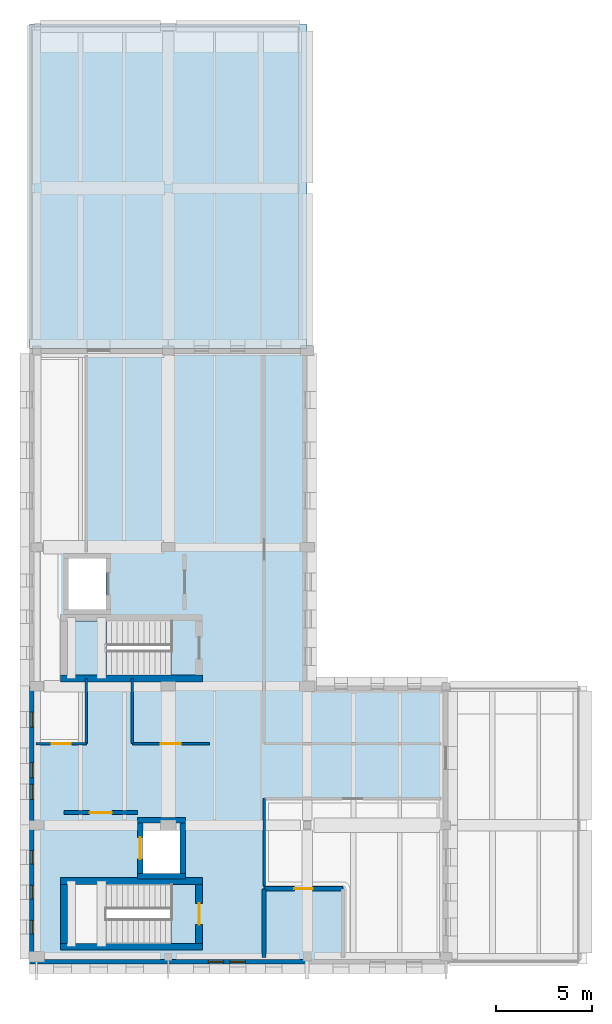
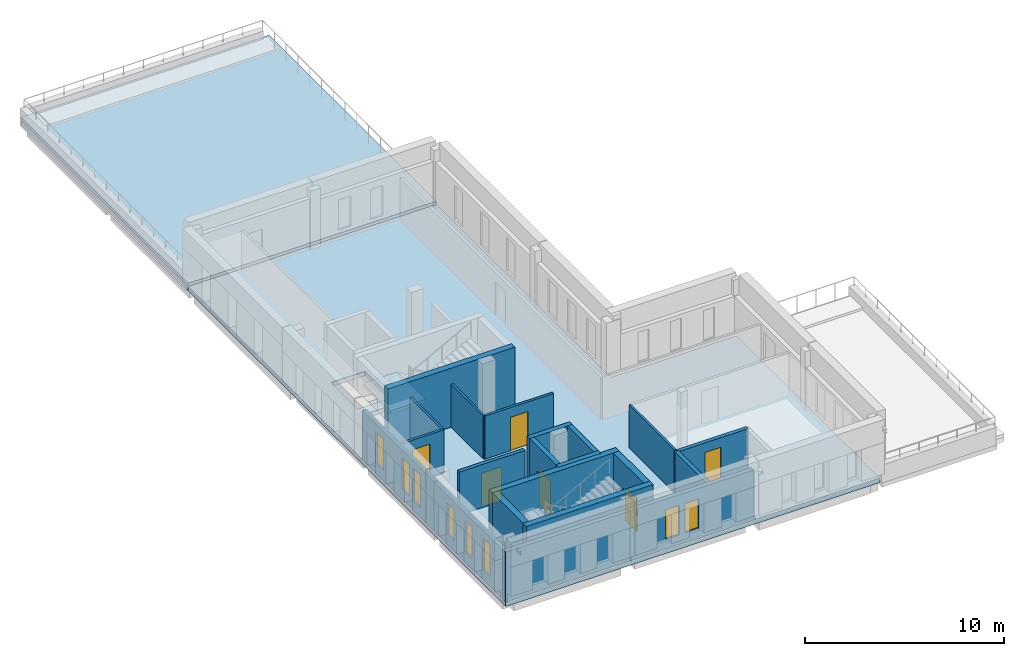
# One storey, part 3 of 8: 21 walls, 8 windows, 6 doors, 4 slabs, 14 openings, 1 element without a shape of its own.
"""IFC4 building model written with IfcOpenShell, lengths in metres."""

from ifc_helpers import new_model, si_unit, direction, frame, frame_2d, origin, place, context, subcontext, project, spatial, polyline, rectangle, outline, extrude, material, layer, layer_set, type_object, element, fill, aggregate, save


model = new_model("IFC4")

# Units and contexts
model_context = context("Model", 3, precision=1e-05, world=origin(), true_north=direction((0.0, 1.0)))
body_context = subcontext(model_context, "Body", "Model", "MODEL_VIEW")
ifc_project = project(units=[si_unit("LENGTHUNIT", "METRE"), si_unit("AREAUNIT", "SQUARE_METRE"), si_unit("VOLUMEUNIT", "CUBIC_METRE"), si_unit("PLANEANGLEUNIT", "RADIAN"), si_unit("MASSUNIT", "GRAM", prefix="KILO")], contexts=[model_context])

# Site, building, storey
site_placement = place(None, origin())
site = spatial("IfcSite", under=ifc_project, at=site_placement, CompositionType="ELEMENT")
building_placement = place(site_placement, origin())
building = spatial("IfcBuilding", under=site, at=building_placement, Name="Vardoun Plaza Health Centre", CompositionType="ELEMENT")
storey_placement = place(building_placement, frame((0.0, 0.0, 21.14990234375)))
storey = spatial("IfcBuildingStorey", under=building, at=storey_placement, Name="L05", CompositionType="ELEMENT", Elevation=21.14990234375)

# Stair, slab
ifc_material_1 = material(Name="Concrete C35/45", Category="concrete")
stair_type = type_object("IfcStairType", Name="ST-01", PredefinedType="HALF_TURN_STAIR", material=ifc_material_1)
stair_placement = place(storey_placement, origin())
stair = element("IfcStair", 1, at=stair_placement, inside=storey, type_object=stair_type, Name="Core C2 L05 Exit Stair ST-C2-L05", PredefinedType="HALF_TURN_STAIR")
ifc_material_2 = material(Name="Concrete C35/45", Category="concrete")
ifc_layer_1 = layer(ifc_material_2, 0.199951171875)
ifc_layer_set_1 = layer_set([ifc_layer_1], Name="Concrete C35/45")
slab_type_1 = type_object("IfcSlabType", Name="SL-LD", PredefinedType="LANDING", material=ifc_layer_set_1)
slab_1_placement = place(storey_placement, frame((0.0, 0.0, 1.75)))
slab_1 = element("IfcSlab", 2, at=slab_1_placement, type_object=slab_type_1, Name="ST-C2-L05 landing 1", PredefinedType="LANDING", context=body_context, shape_type="SweptSolid", body=[
    extrude(outline(polyline([(6.47509765625, 19.47509765625), (8.490478515625, 19.47509765625), (8.490478515625, 22.27490234375), (6.47509765625, 22.27490234375), (6.47509765625, 19.47509765625)])), origin(), (0.0, 0.0, 1.0), 0.2001953125),
])
aggregate(stair, [slab_1])

# Slabs
ifc_material_3 = material(Name="Pale Limestone Concrete C35/45", Category="masonry")
ifc_layer_2 = layer(ifc_material_3, 0.239990234375)
ifc_layer_set_2 = layer_set([ifc_layer_2], Name="Pale Limestone Concrete C35/45")
slab_type_2 = type_object("IfcSlabType", Name="RF-01", PredefinedType="ROOF", material=ifc_layer_set_2)
slab_2_placement = place(storey_placement, frame((0.0, 0.0, -0.27978515625)))
element("IfcSlab", 3, at=slab_2_placement, inside=storey, type_object=slab_type_2, Name="V2 L05 Step-Back Structural Roof Slab 1", PredefinedType="ROOF", context=body_context, shape_type="SweptSolid", body=[
    extrude(outline(polyline([(4.5, 36.39990234375), (18.89990234375, 36.39990234375), (18.89990234375, 53.199951171875), (4.5, 53.199951171875), (4.5, 36.39990234375)])), origin(), (0.0, 0.0, 1.0), 0.27978515625),
])
ifc_material_4 = material(Name="Concrete C35/45", Category="concrete")
ifc_layer_3 = layer(ifc_material_4, 0.280029296875)
ifc_layer_set_3 = layer_set([ifc_layer_3], Name="Concrete C35/45")
slab_type_3 = type_object("IfcSlabType", Name="SL-03", PredefinedType="FLOOR", material=ifc_layer_set_3)
slab_3_placement = place(storey_placement, frame((0.0, 0.0, -0.27978515625)))
element("IfcSlab", 4, at=slab_3_placement, inside=storey, type_object=slab_type_3, Name="V2 L05 Structural Slab", PredefinedType="FLOOR", context=body_context, shape_type="SweptSolid", body=[
    extrude(outline(polyline([(4.5, 4.5), (26.199951171875, 4.5), (26.199951171875, 18.89990234375), (18.89990234375, 18.89990234375), (18.89990234375, 36.39990234375), (4.5, 36.39990234375), (4.5, 4.5)]), holes=[polyline([(6.47509765625, 5.574951171875), (11.849365234375, 5.574951171875), (11.849365234375, 8.625), (6.47509765625, 8.625), (6.47509765625, 5.574951171875)]), polyline([(10.3701171875, 9.169921875), (12.330078125, 9.169921875), (12.330078125, 11.830078125), (10.3701171875, 11.830078125), (10.3701171875, 9.169921875)]), polyline([(6.47509765625, 19.47509765625), (11.849365234375, 19.47509765625), (11.849365234375, 22.27490234375), (6.47509765625, 22.27490234375), (6.47509765625, 19.47509765625)]), polyline([(6.52001953125, 22.8701171875), (8.47998046875, 22.8701171875), (8.47998046875, 25.530029296875), (6.52001953125, 25.530029296875), (6.52001953125, 22.8701171875)])]), origin(), (0.0, 0.0, 1.0), 0.27978515625),
])
ifc_material_5 = material(Name="Pale Limestone Concrete C35/45", Category="masonry")
ifc_layer_4 = layer(ifc_material_5, 0.18994140625)
ifc_layer_set_4 = layer_set([ifc_layer_4], Name="Pale Limestone Concrete C35/45")
slab_type_4 = type_object("IfcSlabType", Name="SL-T1", PredefinedType="FLOOR", material=ifc_layer_set_4)
slab_4_placement = place(storey_placement, origin())
element("IfcSlab", 5, at=slab_4_placement, inside=storey, type_object=slab_type_4, Name="V2 L05 Planted Roof-Garden Terrace 1", PredefinedType="FLOOR", context=body_context, shape_type="SweptSolid", body=[
    extrude(outline(polyline([(4.5, 36.39990234375), (18.89990234375, 36.39990234375), (18.89990234375, 53.199951171875), (4.5, 53.199951171875), (4.5, 36.39990234375)])), origin(), (0.0, 0.0, 1.0), 0.190185546875),
])

# Wall
ifc_material_6 = material(Name="Concrete C40/50", Category="concrete")
ifc_layer_5 = layer(ifc_material_6, 0.27001953125)
ifc_layer_set_5 = layer_set([ifc_layer_5], Name="Concrete C40/50")
wall_type_1 = type_object("IfcWallType", Name="SW-03", PredefinedType="SHEAR", material=ifc_layer_set_5)
wall_1_placement = place(storey_placement, frame((12.5849609375, 9.050048828125, 0.0), z_axis=(0.0, 0.0, 1.0), x_axis=(-1.0, 0.0, 0.0)))
element("IfcWall", 6, at=wall_1_placement, inside=storey, type_object=wall_type_1, Name="Lift LF-01 L05 Shaft Wall S", PredefinedType="SHEAR", context=body_context, shape_type="SweptSolid", body=[
    extrude(rectangle(XDim=2.469970703125, YDim=0.27001953125, at=frame_2d((1.23486328125, 0.0))), origin(), (0.0, 0.0, 1.0), 3.6201171875),
])

# Wall, opening, door
wall_2_placement = place(storey_placement, frame((10.25, 9.18505859375, 0.0), z_axis=(0.0, 0.0, 1.0), x_axis=(0.0, 1.0, 0.0)))
wall_2 = element("IfcWall", 7, at=wall_2_placement, inside=storey, type_object=wall_type_1, Name="Lift LF-01 L05 Shaft Wall W", PredefinedType="SHEAR", context=body_context, shape_type="SweptSolid", body=[
    extrude(rectangle(XDim=2.6298828125, YDim=0.27001953125, at=frame_2d((1.31494140625, 0.0))), origin(), (0.0, 0.0, 1.0), 3.6201171875),
])
opening_1_placement = place(wall_2_placement, frame((0.7548828125, 0.0, 0.0)))
opening_1 = element("IfcOpeningElement", 8, at=opening_1_placement, cuts=wall_2, Name="Opening LD-LF-01-L05", PredefinedType="OPENING", context=body_context, shape_type="SweptSolid", body=[
    extrude(rectangle(XDim=1.1201171875, YDim=2.10009765625, at=frame_2d((0.56005859375, 1.050048828125))), frame((0.0, 0.135009765625, 0.0), z_axis=(0.0, -1.0, 0.0), x_axis=(1.0, 0.0, 0.0)), (0.0, 0.0, 1.0), 0.27001953125),
])
ifc_material_7 = material(Name="Brushed Stainless Steel Grade 316L", Category="steel")
door_type_1 = type_object("IfcDoorType", Name="LD-01", OperationType="DOUBLE_DOOR_SLIDING", PredefinedType="DOOR", material=ifc_material_7)
door_1_placement = place(opening_1_placement, origin())
door_1 = element("IfcDoor", 9, at=door_1_placement, inside=storey, type_object=door_type_1, Name="Lift LF-01 L05 Sliding Landing Door", OperationType="DOUBLE_DOOR_SLIDING", OverallHeight=2.10009765625, OverallWidth=1.1201171875, PredefinedType="DOOR", context=body_context, shape_type="SweptSolid", body=[
    extrude(rectangle(XDim=1.1201171875, YDim=2.10009765625, at=frame_2d((0.56005859375, 1.050048828125))), frame((0.0, 0.02490234375, 0.0), z_axis=(0.0, -1.0, 0.0), x_axis=(1.0, 0.0, 0.0)), (0.0, 0.0, 1.0), 0.050048828125),
])
fill(opening_1, door_1)

# Walls
wall_3_placement = place(storey_placement, frame((10.114990234375, 11.949951171875, 0.0), z_axis=(0.0, 0.0, 1.0), x_axis=(1.0, 0.0, 0.0)))
element("IfcWall", 10, at=wall_3_placement, inside=storey, type_object=wall_type_1, Name="Lift LF-01 L05 Shaft Wall N", PredefinedType="SHEAR", context=body_context, shape_type="SweptSolid", body=[
    extrude(rectangle(XDim=2.469970703125, YDim=0.27001953125, at=frame_2d((1.23486328125, 0.0))), origin(), (0.0, 0.0, 1.0), 3.6201171875),
])
wall_4_placement = place(storey_placement, frame((12.449951171875, 11.81494140625, 0.0), z_axis=(0.0, 0.0, 1.0), x_axis=(0.0, -1.0, 0.0)))
element("IfcWall", 11, at=wall_4_placement, inside=storey, type_object=wall_type_1, Name="Lift LF-01 L05 Shaft Wall E", PredefinedType="SHEAR", context=body_context, shape_type="SweptSolid", body=[
    extrude(rectangle(XDim=2.6298828125, YDim=0.27001953125, at=frame_2d((1.31494140625, 0.0))), origin(), (0.0, 0.0, 1.0), 3.6201171875),
])
ifc_material_8 = material(Name="Concrete C40/50", Category="concrete")
ifc_layer_6 = layer(ifc_material_8, 0.35009765625)
ifc_layer_set_6 = layer_set([ifc_layer_6], Name="Concrete C40/50")
wall_type_2 = type_object("IfcWallType", Name="SW-02", PredefinedType="SHEAR", material=ifc_layer_set_6)
wall_5_placement = place(storey_placement, frame((13.47509765625, 5.39990234375, 0.0), z_axis=(0.0, 0.0, 1.0), x_axis=(-1.0, 0.0, 0.0)))
element("IfcWall", 12, at=wall_5_placement, inside=storey, type_object=wall_type_2, Name="Core C1 L05 Shear Wall S", PredefinedType="SHEAR", context=body_context, shape_type="SweptSolid", body=[
    extrude(rectangle(XDim=7.35009765625, YDim=0.35009765625, at=frame_2d((3.675048828125, 0.0))), origin(), (0.0, 0.0, 1.0), 3.6201171875),
])
wall_6_placement = place(storey_placement, frame((6.300048828125, 5.574951171875, 0.0), z_axis=(0.0, 0.0, 1.0), x_axis=(0.0, 1.0, 0.0)))
element("IfcWall", 13, at=wall_6_placement, inside=storey, type_object=wall_type_2, Name="Core C1 L05 Shear Wall W", PredefinedType="SHEAR", context=body_context, shape_type="SweptSolid", body=[
    extrude(rectangle(XDim=3.050048828125, YDim=0.35009765625, at=frame_2d((1.52490234375, 0.0))), origin(), (0.0, 0.0, 1.0), 3.6201171875),
])
wall_7_placement = place(storey_placement, frame((6.125, 8.800048828125, 0.0), z_axis=(0.0, 0.0, 1.0), x_axis=(1.0, 0.0, 0.0)))
element("IfcWall", 14, at=wall_7_placement, inside=storey, type_object=wall_type_2, Name="Core C1 L05 Shear Wall N", PredefinedType="SHEAR", context=body_context, shape_type="SweptSolid", body=[
    extrude(rectangle(XDim=7.35009765625, YDim=0.35009765625, at=frame_2d((3.675048828125, 0.0))), origin(), (0.0, 0.0, 1.0), 3.6201171875),
])

# Wall, opening, door
wall_8_placement = place(storey_placement, frame((13.300048828125, 8.625, 0.0), z_axis=(0.0, 0.0, 1.0), x_axis=(0.0, -1.0, 0.0)))
wall_8 = element("IfcWall", 15, at=wall_8_placement, inside=storey, type_object=wall_type_2, Name="Core C1 L05 Shear Wall E", PredefinedType="SHEAR", context=body_context, shape_type="SweptSolid", body=[
    extrude(rectangle(XDim=3.050048828125, YDim=0.35009765625, at=frame_2d((1.52490234375, 0.0))), origin(), (0.0, 0.0, 1.0), 3.6201171875),
])
opening_2_placement = place(wall_8_placement, frame((0.97509765625, 0.0, 0.0)))
opening_2 = element("IfcOpeningElement", 16, at=opening_2_placement, cuts=wall_8, Name="Opening SD-C1-L05", PredefinedType="OPENING", context=body_context, shape_type="SweptSolid", body=[
    extrude(rectangle(XDim=1.10009765625, YDim=2.050048828125, at=frame_2d((0.550048828125, 1.02490234375))), frame((0.0, 0.175048828125, 0.0), z_axis=(0.0, -1.0, 0.0), x_axis=(1.0, 0.0, 0.0)), (0.0, 0.0, 1.0), 0.35009765625),
])
ifc_material_9 = material(Name="Brushed Stainless Steel Grade 316L", Category="steel")
door_type_2 = type_object("IfcDoorType", Name="FD-01", OperationType="NOTDEFINED", PredefinedType="DOOR", material=ifc_material_9)
door_2_placement = place(opening_2_placement, origin())
door_2 = element("IfcDoor", 17, at=door_2_placement, inside=storey, type_object=door_type_2, Name="Stair C1 L05 Fire Door", OperationType="SINGLE_SWING_LEFT", OverallHeight=2.050048828125, OverallWidth=1.10009765625, PredefinedType="DOOR", context=body_context, shape_type="SweptSolid", body=[
    extrude(rectangle(XDim=1.10009765625, YDim=2.050048828125, at=frame_2d((0.550048828125, 1.02490234375))), frame((0.0, 0.02490234375, 0.0), z_axis=(0.0, -1.0, 0.0), x_axis=(1.0, 0.0, 0.0)), (0.0, 0.0, 1.0), 0.050048828125),
])
fill(opening_2, door_2)

# Wall
wall_9_placement = place(storey_placement, frame((13.47509765625, 19.300048828125, 0.0), z_axis=(0.0, 0.0, 1.0), x_axis=(-1.0, 0.0, 0.0)))
element("IfcWall", 18, at=wall_9_placement, inside=storey, type_object=wall_type_2, Name="Core C2 L05 Shear Wall S", PredefinedType="SHEAR", context=body_context, shape_type="SweptSolid", body=[
    extrude(rectangle(XDim=7.35009765625, YDim=0.35009765625, at=frame_2d((3.675048828125, 0.0))), origin(), (0.0, 0.0, 1.0), 3.6201171875),
])

# Wall, openings, windows
ifc_material_10 = material(Name="Pale Limestone Concrete C35/45", Category="masonry")
ifc_layer_7 = layer(ifc_material_10, 0.25)
ifc_layer_set_7 = layer_set([ifc_layer_7], Name="Pale Limestone Concrete C35/45")
wall_type_3 = type_object("IfcWallType", Name="EW-07", PredefinedType="STANDARD", material=ifc_layer_set_7)
wall_10_placement = place(storey_placement, frame((18.89990234375, 4.625, 0.0), z_axis=(0.0, 0.0, 1.0), x_axis=(-1.0, 0.0, 0.0)))
wall_10 = element("IfcWall", 19, at=wall_10_placement, inside=storey, type_object=wall_type_3, Name="V2 L05 Exterior Wall EW-V2-206", PredefinedType="STANDARD", context=body_context, shape_type="SweptSolid", body=[
    extrude(rectangle(XDim=7.199951171875, YDim=0.25, at=frame_2d((3.60009765625, 0.0))), origin(), (0.0, 0.0, 1.0), 3.05517578125),
])
opening_3_placement = place(wall_10_placement, frame((3.199951171875, 0.0, 0.60009765625)))
opening_3 = element("IfcOpeningElement", 20, at=opening_3_placement, cuts=wall_10, Name="Opening W-27-014", PredefinedType="OPENING", context=body_context, shape_type="SweptSolid", body=[
    extrude(rectangle(XDim=0.800048828125, YDim=1.800048828125, at=frame_2d((0.39990234375, 0.89990234375))), frame((0.0, 0.125, 0.0), z_axis=(0.0, -1.0, 0.0), x_axis=(1.0, 0.0, 0.0)), (0.0, 0.0, 1.0), 0.25),
])
opening_4_placement = place(wall_10_placement, frame((4.322021484375, 0.0, 0.60009765625)))
opening_4 = element("IfcOpeningElement", 21, at=opening_4_placement, cuts=wall_10, Name="Opening W-27-015", PredefinedType="OPENING", context=body_context, shape_type="SweptSolid", body=[
    extrude(rectangle(XDim=0.800048828125, YDim=1.800048828125, at=frame_2d((0.39990234375, 0.89990234375))), frame((0.0, 0.125, 0.0), z_axis=(0.0, -1.0, 0.0), x_axis=(1.0, 0.0, 0.0)), (0.0, 0.0, 1.0), 0.25),
])
ifc_material_11 = material(Name="Aluminium Alloy EN AW-6063-T6 and Low-E Glass", Category="aluminium")
window_type_1 = type_object("IfcWindowType", Name="W-27", PartitioningType="SINGLE_PANEL", PredefinedType="WINDOW", material=ifc_material_11)
window_1_placement = place(opening_3_placement, origin())
window_1 = element("IfcWindow", 22, at=window_1_placement, inside=storey, type_object=window_type_1, Name="V2 L05 Deep-Punched Slot Window W-27-313", OverallHeight=1.800048828125, OverallWidth=0.800048828125, PartitioningType="SINGLE_PANEL", PredefinedType="WINDOW", context=body_context, shape_type="SweptSolid", body=[
    extrude(rectangle(XDim=0.800048828125, YDim=1.800048828125, at=frame_2d((0.39990234375, 0.89990234375))), frame((0.0, 0.030029296875, 0.0), z_axis=(0.0, -1.0, 0.0), x_axis=(1.0, 0.0, 0.0)), (0.0, 0.0, 1.0), 0.06005859375),
])
fill(opening_3, window_1)
window_2_placement = place(opening_4_placement, origin())
window_2 = element("IfcWindow", 23, at=window_2_placement, inside=storey, type_object=window_type_1, Name="V2 L05 Deep-Punched Slot Window W-27-314", OverallHeight=1.800048828125, OverallWidth=0.800048828125, PartitioningType="SINGLE_PANEL", PredefinedType="WINDOW", context=body_context, shape_type="SweptSolid", body=[
    extrude(rectangle(XDim=0.800048828125, YDim=1.800048828125, at=frame_2d((0.39990234375, 0.89990234375))), frame((0.0, 0.030029296875, 0.0), z_axis=(0.0, -1.0, 0.0), x_axis=(1.0, 0.0, 0.0)), (0.0, 0.0, 1.0), 0.06005859375),
])
fill(opening_4, window_2)

# Wall
wall_11_placement = place(storey_placement, frame((11.699951171875, 4.625, 0.0), z_axis=(0.0, 0.0, 1.0), x_axis=(-1.0, 0.0, 0.0)))
element("IfcWall", 24, at=wall_11_placement, inside=storey, type_object=wall_type_3, Name="V2 L05 Exterior Wall EW-V2-207", PredefinedType="STANDARD", context=body_context, shape_type="SweptSolid", body=[
    extrude(rectangle(XDim=7.199951171875, YDim=0.25, at=frame_2d((3.60009765625, 0.0))), origin(), (0.0, 0.0, 1.0), 3.05517578125),
])

# Wall, openings, windows
wall_12_placement = place(storey_placement, frame((4.625, 4.75, 0.0), z_axis=(0.0, 0.0, 1.0), x_axis=(0.0, 1.0, 0.0)))
wall_12 = element("IfcWall", 25, at=wall_12_placement, inside=storey, type_object=wall_type_3, Name="V2 L05 Exterior Wall EW-V2-208", PredefinedType="STANDARD", context=body_context, shape_type="SweptSolid", body=[
    extrude(rectangle(XDim=6.949951171875, YDim=0.25, at=frame_2d((3.47509765625, 0.0))), origin(), (0.0, 0.0, 1.0), 3.005126953125),
])
opening_5_placement = place(wall_12_placement, frame((1.318115234375, 0.0, 0.60009765625)))
opening_5 = element("IfcOpeningElement", 26, at=opening_5_placement, cuts=wall_12, Name="Opening W-29-009", PredefinedType="OPENING", context=body_context, shape_type="SweptSolid", body=[
    extrude(rectangle(XDim=0.699951171875, YDim=1.919921875, at=frame_2d((0.35009765625, 0.9599609375))), frame((0.0, 0.125, 0.0), z_axis=(0.0, -1.0, 0.0), x_axis=(1.0, 0.0, 0.0)), (0.0, 0.0, 1.0), 0.25),
])
opening_6_placement = place(wall_12_placement, frame((3.125, 0.0, 0.60009765625)))
opening_6 = element("IfcOpeningElement", 27, at=opening_6_placement, cuts=wall_12, Name="Opening W-29-010", PredefinedType="OPENING", context=body_context, shape_type="SweptSolid", body=[
    extrude(rectangle(XDim=0.699951171875, YDim=1.919921875, at=frame_2d((0.35009765625, 0.9599609375))), frame((0.0, 0.125, 0.0), z_axis=(0.0, -1.0, 0.0), x_axis=(1.0, 0.0, 0.0)), (0.0, 0.0, 1.0), 0.25),
])
opening_7_placement = place(wall_12_placement, frame((4.931884765625, 0.0, 0.60009765625)))
opening_7 = element("IfcOpeningElement", 28, at=opening_7_placement, cuts=wall_12, Name="Opening W-29-011", PredefinedType="OPENING", context=body_context, shape_type="SweptSolid", body=[
    extrude(rectangle(XDim=0.699951171875, YDim=1.919921875, at=frame_2d((0.35009765625, 0.9599609375))), frame((0.0, 0.125, 0.0), z_axis=(0.0, -1.0, 0.0), x_axis=(1.0, 0.0, 0.0)), (0.0, 0.0, 1.0), 0.25),
])
ifc_material_12 = material(Name="Aluminium Alloy EN AW-6063-T6 and Low-E Glass", Category="aluminium")
window_type_2 = type_object("IfcWindowType", Name="W-29", PartitioningType="SINGLE_PANEL", PredefinedType="WINDOW", material=ifc_material_12)
window_3_placement = place(opening_5_placement, origin())
window_3 = element("IfcWindow", 29, at=window_3_placement, inside=storey, type_object=window_type_2, Name="V2 L05 Deep-Punched Slot Window W-29-318", OverallHeight=1.919921875, OverallWidth=0.699951171875, PartitioningType="SINGLE_PANEL", PredefinedType="WINDOW", context=body_context, shape_type="SweptSolid", body=[
    extrude(rectangle(XDim=0.699951171875, YDim=1.919921875, at=frame_2d((0.35009765625, 0.9599609375))), frame((0.0, 0.030029296875, 0.0), z_axis=(0.0, -1.0, 0.0), x_axis=(1.0, 0.0, 0.0)), (0.0, 0.0, 1.0), 0.06005859375),
])
fill(opening_5, window_3)
window_4_placement = place(opening_6_placement, origin())
window_4 = element("IfcWindow", 30, at=window_4_placement, inside=storey, type_object=window_type_2, Name="V2 L05 Deep-Punched Slot Window W-29-319", OverallHeight=1.919921875, OverallWidth=0.699951171875, PartitioningType="SINGLE_PANEL", PredefinedType="WINDOW", context=body_context, shape_type="SweptSolid", body=[
    extrude(rectangle(XDim=0.699951171875, YDim=1.919921875, at=frame_2d((0.35009765625, 0.9599609375))), frame((0.0, 0.030029296875, 0.0), z_axis=(0.0, -1.0, 0.0), x_axis=(1.0, 0.0, 0.0)), (0.0, 0.0, 1.0), 0.06005859375),
])
fill(opening_6, window_4)
window_5_placement = place(opening_7_placement, origin())
window_5 = element("IfcWindow", 31, at=window_5_placement, inside=storey, type_object=window_type_2, Name="V2 L05 Deep-Punched Slot Window W-29-320", OverallHeight=1.919921875, OverallWidth=0.699951171875, PartitioningType="SINGLE_PANEL", PredefinedType="WINDOW", context=body_context, shape_type="SweptSolid", body=[
    extrude(rectangle(XDim=0.699951171875, YDim=1.919921875, at=frame_2d((0.35009765625, 0.9599609375))), frame((0.0, 0.030029296875, 0.0), z_axis=(0.0, -1.0, 0.0), x_axis=(1.0, 0.0, 0.0)), (0.0, 0.0, 1.0), 0.06005859375),
])
fill(opening_7, window_5)

wall_13_placement = place(storey_placement, frame((4.625, 11.699951171875, 0.0), z_axis=(0.0, 0.0, 1.0), x_axis=(0.0, 1.0, 0.0)))
wall_13 = element("IfcWall", 32, at=wall_13_placement, inside=storey, type_object=wall_type_3, Name="V2 L05 Exterior Wall EW-V2-209", PredefinedType="STANDARD", context=body_context, shape_type="SweptSolid", body=[
    extrude(rectangle(XDim=7.199951171875, YDim=0.25, at=frame_2d((3.60009765625, 0.0))), origin(), (0.0, 0.0, 1.0), 3.005126953125),
])
opening_8_placement = place(wall_13_placement, frame((1.337890625, 0.0, 0.60009765625)))
opening_8 = element("IfcOpeningElement", 33, at=opening_8_placement, cuts=wall_13, Name="Opening W-30-016", PredefinedType="OPENING", context=body_context, shape_type="SweptSolid", body=[
    extrude(rectangle(XDim=0.780029296875, YDim=1.949951171875, at=frame_2d((0.39013671875, 0.97509765625))), frame((0.0, 0.125, 0.0), z_axis=(0.0, -1.0, 0.0), x_axis=(1.0, 0.0, 0.0)), (0.0, 0.0, 1.0), 0.25),
])
opening_9_placement = place(wall_13_placement, frame((2.4599609375, 0.0, 0.60009765625)))
opening_9 = element("IfcOpeningElement", 34, at=opening_9_placement, cuts=wall_13, Name="Opening W-30-017", PredefinedType="OPENING", context=body_context, shape_type="SweptSolid", body=[
    extrude(rectangle(XDim=0.780029296875, YDim=1.949951171875, at=frame_2d((0.39013671875, 0.97509765625))), frame((0.0, 0.125, 0.0), z_axis=(0.0, -1.0, 0.0), x_axis=(1.0, 0.0, 0.0)), (0.0, 0.0, 1.0), 0.25),
])
opening_10_placement = place(wall_13_placement, frame((5.08203125, 0.0, 0.60009765625)))
opening_10 = element("IfcOpeningElement", 35, at=opening_10_placement, cuts=wall_13, Name="Opening W-30-018", PredefinedType="OPENING", context=body_context, shape_type="SweptSolid", body=[
    extrude(rectangle(XDim=0.780029296875, YDim=1.949951171875, at=frame_2d((0.39013671875, 0.97509765625))), frame((0.0, 0.125, 0.0), z_axis=(0.0, -1.0, 0.0), x_axis=(1.0, 0.0, 0.0)), (0.0, 0.0, 1.0), 0.25),
])
ifc_material_13 = material(Name="Aluminium Alloy EN AW-6063-T6 and Low-E Glass", Category="aluminium")
window_type_3 = type_object("IfcWindowType", Name="W-30", PartitioningType="SINGLE_PANEL", PredefinedType="WINDOW", material=ifc_material_13)
window_6_placement = place(opening_8_placement, origin())
window_6 = element("IfcWindow", 36, at=window_6_placement, inside=storey, type_object=window_type_3, Name="V2 L05 Deep-Punched Slot Window W-30-321", OverallHeight=1.949951171875, OverallWidth=0.780029296875, PartitioningType="SINGLE_PANEL", PredefinedType="WINDOW", context=body_context, shape_type="SweptSolid", body=[
    extrude(rectangle(XDim=0.780029296875, YDim=1.949951171875, at=frame_2d((0.39013671875, 0.97509765625))), frame((0.0, 0.030029296875, 0.0), z_axis=(0.0, -1.0, 0.0), x_axis=(1.0, 0.0, 0.0)), (0.0, 0.0, 1.0), 0.06005859375),
])
fill(opening_8, window_6)
window_7_placement = place(opening_9_placement, origin())
window_7 = element("IfcWindow", 37, at=window_7_placement, inside=storey, type_object=window_type_3, Name="V2 L05 Deep-Punched Slot Window W-30-322", OverallHeight=1.949951171875, OverallWidth=0.780029296875, PartitioningType="SINGLE_PANEL", PredefinedType="WINDOW", context=body_context, shape_type="SweptSolid", body=[
    extrude(rectangle(XDim=0.780029296875, YDim=1.949951171875, at=frame_2d((0.39013671875, 0.97509765625))), frame((0.0, 0.030029296875, 0.0), z_axis=(0.0, -1.0, 0.0), x_axis=(1.0, 0.0, 0.0)), (0.0, 0.0, 1.0), 0.06005859375),
])
fill(opening_9, window_7)
window_8_placement = place(opening_10_placement, origin())
window_8 = element("IfcWindow", 38, at=window_8_placement, inside=storey, type_object=window_type_3, Name="V2 L05 Deep-Punched Slot Window W-30-323", OverallHeight=1.949951171875, OverallWidth=0.780029296875, PartitioningType="SINGLE_PANEL", PredefinedType="WINDOW", context=body_context, shape_type="SweptSolid", body=[
    extrude(rectangle(XDim=0.780029296875, YDim=1.949951171875, at=frame_2d((0.39013671875, 0.97509765625))), frame((0.0, 0.030029296875, 0.0), z_axis=(0.0, -1.0, 0.0), x_axis=(1.0, 0.0, 0.0)), (0.0, 0.0, 1.0), 0.06005859375),
])
fill(opening_10, window_8)

# Wall, opening, door
ifc_material_14 = material(Name="Acoustic Gypsum Twin-Stud", Category="steel")
ifc_layer_8 = layer(ifc_material_14, 0.14990234375)
ifc_layer_set_8 = layer_set([ifc_layer_8], Name="Acoustic Gypsum Twin-Stud")
wall_type_4 = type_object("IfcWallType", Name="IW-04", PredefinedType="PARTITIONING", material=ifc_layer_set_8)
wall_14_placement = place(storey_placement, frame((13.830078125, 15.919921875, 0.0), z_axis=(0.0, 0.0, 1.0), x_axis=(-1.0, 0.0, 0.0)))
wall_14 = element("IfcWall", 39, at=wall_14_placement, inside=storey, type_object=wall_type_4, Name="Preventive Medicine Consulting Room Partition Wall", PredefinedType="PARTITIONING", context=body_context, shape_type="SweptSolid", body=[
    extrude(rectangle(XDim=3.989990234375, YDim=0.14990234375, at=frame_2d((1.9951171875, 0.0))), origin(), (0.0, 0.0, 1.0), 2.64013671875),
])
opening_11_placement = place(wall_14_placement, frame((1.47509765625, 0.0, 0.0)))
opening_11 = element("IfcOpeningElement", 40, at=opening_11_placement, cuts=wall_14, Name="Opening D-L05-063", PredefinedType="OPENING", context=body_context, shape_type="SweptSolid", body=[
    extrude(rectangle(XDim=1.0400390625, YDim=2.050048828125, at=frame_2d((0.52001953125, 1.02490234375))), frame((0.0, 0.074951171875, 0.0), z_axis=(0.0, -1.0, 0.0), x_axis=(1.0, 0.0, 0.0)), (0.0, 0.0, 1.0), 0.14990234375),
])
ifc_material_15 = material(Name="Antimicrobial Acoustic Timber and Steel S275JR", Category="steel")
door_type_3 = type_object("IfcDoorType", Name="CD-04", OperationType="NOTDEFINED", PredefinedType="DOOR", material=ifc_material_15)
door_3_placement = place(opening_11_placement, origin())
door_3 = element("IfcDoor", 41, at=door_3_placement, inside=storey, type_object=door_type_3, Name="Preventive Medicine Consulting Room Door D-L05-063", OperationType="SINGLE_SWING_LEFT", OverallHeight=2.050048828125, OverallWidth=1.0400390625, PredefinedType="DOOR", context=body_context, shape_type="SweptSolid", body=[
    extrude(rectangle(XDim=1.0400390625, YDim=2.050048828125, at=frame_2d((0.52001953125, 1.02490234375))), frame((0.0, 0.02490234375, 0.0), z_axis=(0.0, -1.0, 0.0), x_axis=(1.0, 0.0, 0.0)), (0.0, 0.0, 1.0), 0.050048828125),
])
fill(opening_11, door_3)

wall_15_placement = place(storey_placement, frame((7.4599609375, 15.919921875, 0.0), z_axis=(0.0, 0.0, 1.0), x_axis=(-1.0, 0.0, 0.0)))
wall_15 = element("IfcWall", 42, at=wall_15_placement, inside=storey, type_object=wall_type_4, Name="Vaccination Immunisation Room Partition Wall", PredefinedType="PARTITIONING", context=body_context, shape_type="SweptSolid", body=[
    extrude(rectangle(XDim=2.60986328125, YDim=0.14990234375, at=frame_2d((1.304931640625, 0.0))), origin(), (0.0, 0.0, 1.0), 2.64013671875),
])
opening_12_placement = place(wall_15_placement, frame((0.804931640625, 0.0, 0.0)))
opening_12 = element("IfcOpeningElement", 43, at=opening_12_placement, cuts=wall_15, Name="Opening D-L05-066", PredefinedType="OPENING", context=body_context, shape_type="SweptSolid", body=[
    extrude(rectangle(XDim=1.0, YDim=2.050048828125, at=frame_2d((0.5, 1.02490234375))), frame((0.0, 0.074951171875, 0.0), z_axis=(0.0, -1.0, 0.0), x_axis=(1.0, 0.0, 0.0)), (0.0, 0.0, 1.0), 0.14990234375),
])
ifc_material_16 = material(Name="Antimicrobial Acoustic Timber and Steel S275JR", Category="steel")
door_type_4 = type_object("IfcDoorType", Name="CD-03", OperationType="NOTDEFINED", PredefinedType="DOOR", material=ifc_material_16)
door_4_placement = place(opening_12_placement, origin())
door_4 = element("IfcDoor", 44, at=door_4_placement, inside=storey, type_object=door_type_4, Name="Vaccination Immunisation Room Door D-L05-066", OperationType="SINGLE_SWING_RIGHT", OverallHeight=2.050048828125, OverallWidth=1.0, PredefinedType="DOOR", context=body_context, shape_type="SweptSolid", body=[
    extrude(rectangle(XDim=1.0, YDim=2.050048828125, at=frame_2d((0.5, 1.02490234375))), frame((0.0, 0.02490234375, 0.0), z_axis=(0.0, -1.0, 0.0), x_axis=(1.0, 0.0, 0.0)), (0.0, 0.0, 1.0), 0.050048828125),
])
fill(opening_12, door_4)

# Walls
ifc_material_17 = material(Name="Standard Clinical Sub-Partition", Category="steel")
ifc_layer_9 = layer(ifc_material_17, 0.125)
ifc_layer_set_9 = layer_set([ifc_layer_9], Name="Standard Clinical Sub-Partition")
wall_type_5 = type_object("IfcWallType", Name="IW-11", PredefinedType="PARTITIONING", material=ifc_layer_set_9)
wall_16_placement = place(storey_placement, frame((9.840087890625, 15.919921875, 0.0), z_axis=(0.0, 0.0, 1.0), x_axis=(0.0, 1.0, 0.0)))
element("IfcWall", 45, at=wall_16_placement, inside=storey, type_object=wall_type_5, Name="Preventive Medicine Consulting Room Enclosure Partition", PredefinedType="PARTITIONING", context=body_context, shape_type="SweptSolid", body=[
    extrude(rectangle(XDim=3.380126953125, YDim=0.125, at=frame_2d((1.68994140625, 0.0))), origin(), (0.0, 0.0, 1.0), 2.64013671875),
])
wall_17_placement = place(storey_placement, frame((16.669921875, 8.541015625, 0.0), z_axis=(0.0, 0.0, 1.0), x_axis=(0.0, 1.0, 0.0)))
element("IfcWall", 46, at=wall_17_placement, inside=storey, type_object=wall_type_5, Name="Chronic Care and Diabetes Clinic Enclosure Partition", PredefinedType="PARTITIONING", context=body_context, shape_type="SweptSolid", body=[
    extrude(rectangle(XDim=4.5390625, YDim=0.125, at=frame_2d((2.26953125, 0.0))), origin(), (0.0, 0.0, 1.0), 2.64013671875),
])
wall_18_placement = place(storey_placement, frame((7.4599609375, 19.300048828125, 0.0), z_axis=(0.0, 0.0, 1.0), x_axis=(0.0, -1.0, 0.0)))
element("IfcWall", 47, at=wall_18_placement, inside=storey, type_object=wall_type_5, Name="Vaccination Immunisation Room Enclosure Partition", PredefinedType="PARTITIONING", context=body_context, shape_type="SweptSolid", body=[
    extrude(rectangle(XDim=3.380126953125, YDim=0.125, at=frame_2d((1.68994140625, 0.0))), origin(), (0.0, 0.0, 1.0), 2.64013671875),
])

# Wall, opening, door
ifc_material_18 = material(Name="Concrete C35/45", Category="concrete")
ifc_layer_10 = layer(ifc_material_18, 0.199951171875)
ifc_layer_set_10 = layer_set([ifc_layer_10], Name="Concrete C35/45")
wall_type_6 = type_object("IfcWallType", Name="IW-01", PredefinedType="SOLIDWALL", material=ifc_layer_set_10)
wall_19_placement = place(storey_placement, frame((6.300048828125, 12.35009765625, 0.0), z_axis=(0.0, 0.0, 1.0), x_axis=(1.0, 0.0, 0.0)))
wall_19 = element("IfcWall", 48, at=wall_19_placement, inside=storey, type_object=wall_type_6, Name="Firefighting Lobby C1 L05 Wall", PredefinedType="SOLIDWALL", context=body_context, shape_type="SweptSolid", body=[
    extrude(rectangle(XDim=3.800048828125, YDim=0.199951171875, at=frame_2d((1.89990234375, 0.0))), origin(), (0.0, 0.0, 1.0), 2.64013671875),
])
opening_13_placement = place(wall_19_placement, frame((1.324951171875, 0.0, 0.0)))
opening_13 = element("IfcOpeningElement", 49, at=opening_13_placement, cuts=wall_19, Name="Opening FD-FF-C1-L05", PredefinedType="OPENING", context=body_context, shape_type="SweptSolid", body=[
    extrude(rectangle(XDim=1.14990234375, YDim=2.050048828125, at=frame_2d((0.574951171875, 1.02490234375))), frame((0.0, 0.10009765625, 0.0), z_axis=(0.0, -1.0, 0.0), x_axis=(1.0, 0.0, 0.0)), (0.0, 0.0, 1.0), 0.199951171875),
])
ifc_material_19 = material(Name="Antimicrobial Acoustic Timber and Steel S275JR", Category="steel")
door_type_5 = type_object("IfcDoorType", Name="FD-02", OperationType="NOTDEFINED", PredefinedType="DOOR", material=ifc_material_19)
door_5_placement = place(opening_13_placement, origin())
door_5 = element("IfcDoor", 50, at=door_5_placement, inside=storey, type_object=door_type_5, Name="Firefighting Lobby C1 L05 Fire Door", OperationType="SINGLE_SWING_RIGHT", OverallHeight=2.050048828125, OverallWidth=1.14990234375, PredefinedType="DOOR", context=body_context, shape_type="SweptSolid", body=[
    extrude(rectangle(XDim=1.14990234375, YDim=2.050048828125, at=frame_2d((0.574951171875, 1.02490234375))), frame((0.0, 0.02490234375, 0.0), z_axis=(0.0, -1.0, 0.0), x_axis=(1.0, 0.0, 0.0)), (0.0, 0.0, 1.0), 0.050048828125),
])
fill(opening_13, door_5)

ifc_material_20 = material(Name="Moisture-Resistant Plumbing Chase", Category="steel")
ifc_layer_11 = layer(ifc_material_20, 0.215087890625)
ifc_layer_set_11 = layer_set([ifc_layer_11], Name="Moisture-Resistant Plumbing Chase")
wall_type_7 = type_object("IfcWallType", Name="IW-06", PredefinedType="PLUMBINGWALL", material=ifc_layer_set_11)
wall_20_placement = place(storey_placement, frame((16.669921875, 8.40087890625, 0.0), z_axis=(0.0, 0.0, 1.0), x_axis=(1.0, 0.0, 0.0)))
wall_20 = element("IfcWall", 51, at=wall_20_placement, inside=storey, type_object=wall_type_7, Name="Accessible WC L05-V2 Partition Wall", PredefinedType="PLUMBINGWALL", context=body_context, shape_type="SweptSolid", body=[
    extrude(rectangle(XDim=4.08349609375, YDim=0.215087890625, at=frame_2d((2.041748046875, 0.0))), origin(), (0.0, 0.0, 1.0), 2.64013671875),
])
opening_14_placement = place(wall_20_placement, frame((1.566650390625, 0.0, 0.0)))
opening_14 = element("IfcOpeningElement", 52, at=opening_14_placement, cuts=wall_20, Name="Opening D-L05-062", PredefinedType="OPENING", context=body_context, shape_type="SweptSolid", body=[
    extrude(rectangle(XDim=0.949951171875, YDim=2.050048828125, at=frame_2d((0.47509765625, 1.02490234375))), frame((0.0, 0.107421875, 0.0), z_axis=(0.0, -1.0, 0.0), x_axis=(1.0, 0.0, 0.0)), (0.0, 0.0, 1.0), 0.215087890625),
])
ifc_material_21 = material(Name="Antimicrobial Acoustic Timber and Steel S275JR", Category="steel")
door_type_6 = type_object("IfcDoorType", Name="CD-07", OperationType="NOTDEFINED", PredefinedType="DOOR", material=ifc_material_21)
door_6_placement = place(opening_14_placement, origin())
door_6 = element("IfcDoor", 53, at=door_6_placement, inside=storey, type_object=door_type_6, Name="Accessible WC L05-V2 Door D-L05-062", OperationType="SINGLE_SWING_RIGHT", OverallHeight=2.050048828125, OverallWidth=0.949951171875, PredefinedType="DOOR", context=body_context, shape_type="SweptSolid", body=[
    extrude(rectangle(XDim=0.949951171875, YDim=2.050048828125, at=frame_2d((0.47509765625, 1.02490234375))), frame((0.0, 0.02490234375, 0.0), z_axis=(0.0, -1.0, 0.0), x_axis=(1.0, 0.0, 0.0)), (0.0, 0.0, 1.0), 0.050048828125),
])
fill(opening_14, door_6)

# Wall
wall_21_placement = place(storey_placement, frame((16.669921875, 4.85009765625, 0.0), z_axis=(0.0, 0.0, 1.0), x_axis=(0.0, 1.0, 0.0)))
element("IfcWall", 54, at=wall_21_placement, inside=storey, type_object=wall_type_7, Name="Accessible WC L05-V2 Enclosure Partition", PredefinedType="PLUMBINGWALL", context=body_context, shape_type="SweptSolid", body=[
    extrude(rectangle(XDim=3.55078125, YDim=0.215087890625, at=frame_2d((1.775390625, 0.0))), origin(), (0.0, 0.0, 1.0), 2.64013671875),
])

save(model, "model.ifc")
